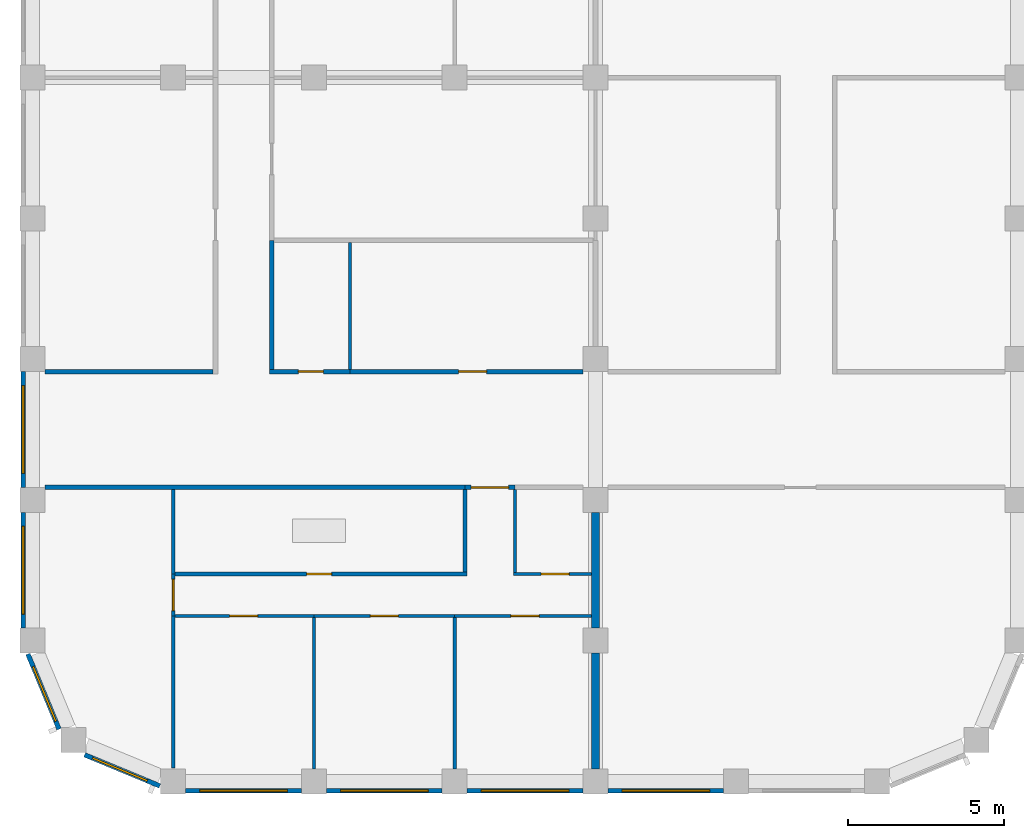
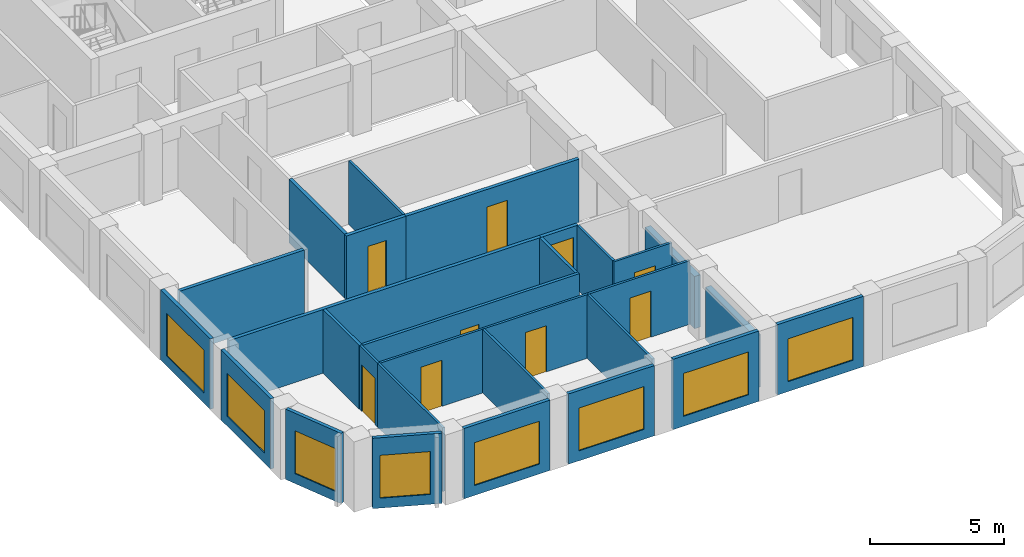
# One storey, part 2 of 9: 29 walls, 9 doors, 8 windows, 17 openings.
"""IFC4 building model written with IfcOpenShell, lengths in metres."""

from ifc_helpers import new_model, si_unit, direction, frame, frame_2d, origin, place, context, subcontext, project, spatial, rectangle, extrude, material, layer, layer_set, type_object, element, fill, save


model = new_model("IFC4")

# Units and contexts
model_context = context("Model", 3, precision=1e-05, world=origin(), true_north=direction((0.0, 1.0)))
body_context = subcontext(model_context, "Body", "Model", "MODEL_VIEW")
ifc_project = project(units=[si_unit("LENGTHUNIT", "METRE"), si_unit("AREAUNIT", "SQUARE_METRE"), si_unit("VOLUMEUNIT", "CUBIC_METRE"), si_unit("PLANEANGLEUNIT", "RADIAN"), si_unit("MASSUNIT", "GRAM", prefix="KILO")], contexts=[model_context])

# Site, building, storey
site_placement = place(None, origin())
site = spatial("IfcSite", under=ifc_project, at=site_placement, CompositionType="ELEMENT")
building_placement = place(site_placement, origin())
building = spatial("IfcBuilding", under=site, at=building_placement, Name="Girih Gate Residences", CompositionType="ELEMENT")
storey_placement = place(building_placement, frame((0.0, 0.0, 182.699951171875)))
storey = spatial("IfcBuildingStorey", under=building, at=storey_placement, Name="L50", CompositionType="ELEMENT", Elevation=182.699951171875)

# Walls
ifc_material_1 = material(Name="Gypsum board on steel studs", Category="steel")
ifc_layer_1 = layer(ifc_material_1, 0.25)
ifc_layer_set_1 = layer_set([ifc_layer_1], Name="Acoustic separating wall 250 mm")
wall_type_1 = type_object("IfcWallType", Name="Acoustic separating wall 250 mm", PredefinedType="PARTITIONING", material=ifc_layer_set_1)
for number, where, z_axis, x_axis, name in (
    (1, (18.0, 4.89990234375, 0.0), (0.0, 0.0, 1.0), (0.0, 1.0, 0.0), "L50 partition"),
    (2, (18.0, 0.39990234375, 0.0), (0.0, 0.0, 1.0), (0.0, 1.0, 0.0), "L50 partition"),
):
    element("IfcWall", number, at=place(storey_placement, frame(where, z_axis=z_axis, x_axis=x_axis)), inside=storey, type_object=wall_type_1, Name=name, PredefinedType="PARTITIONING", context=body_context, shape_type="SweptSolid", body=[
        extrude(rectangle(XDim=3.7001953125, YDim=0.25, at=frame_2d((1.85009765625, 0.0))), origin(), (0.0, 0.0, 1.0), 2.380126953125),
    ])

# Wall, opening, door
ifc_layer_2 = layer(ifc_material_1, 0.14990234375)
ifc_layer_set_2 = layer_set([ifc_layer_2], Name="Compartment wall 150 mm")
wall_type_2 = type_object("IfcWallType", Name="Compartment wall 150 mm", PredefinedType="PARTITIONING", material=ifc_layer_set_2)
wall_1_placement = place(storey_placement, frame((15.425048828125, 9.39990234375, 0.0), z_axis=(0.0, 0.0, 1.0), x_axis=(-1.0, 0.0, 0.0)))
wall_1 = element("IfcWall", 3, at=wall_1_placement, inside=storey, type_object=wall_type_2, Name="L50 partition", PredefinedType="PARTITIONING", context=body_context, shape_type="SweptSolid", body=[
    extrude(rectangle(XDim=1.60009765625, YDim=0.14990234375, at=frame_2d((0.800048828125, 0.0))), origin(), (0.0, 0.0, 1.0), 2.900146484375),
])
opening_1_placement = place(wall_1_placement, frame((0.199951171875, 0.0, 0.0)))
opening_1 = element("IfcOpeningElement", 4, at=opening_1_placement, cuts=wall_1, Name="Opening A50-007", PredefinedType="OPENING", context=body_context, shape_type="SweptSolid", body=[
    extrude(rectangle(XDim=1.199951171875, YDim=2.39990234375, at=frame_2d((0.60009765625, 1.199951171875))), frame((0.0, 0.0849609375, 0.0), z_axis=(0.0, -1.0, 0.0), x_axis=(1.0, 0.0, 0.0)), (0.0, 0.0, 1.0), 0.169921875),
])
ifc_material_2 = material(Name="Timber, fire-rated core", Category="wood")
door_type_1 = type_object("IfcDoorType", Name="Villa entrance door 1200x2400 FD30S", OperationType="NOTDEFINED", PredefinedType="DOOR", material=ifc_material_2)
door_1_placement = place(opening_1_placement, origin())
door_1 = element("IfcDoor", 5, at=door_1_placement, inside=storey, type_object=door_type_1, Name="Door A50-007", OperationType="SINGLE_SWING_LEFT", OverallHeight=2.39990234375, OverallWidth=1.199951171875, PredefinedType="DOOR", context=body_context, shape_type="SweptSolid", body=[
    extrude(rectangle(XDim=1.199951171875, YDim=2.39990234375, at=frame_2d((0.60009765625, 1.199951171875))), frame((0.0, 0.02490234375, 0.0), z_axis=(0.0, -1.0, 0.0), x_axis=(1.0, 0.0, 0.0)), (0.0, 0.0, 1.0), 0.050048828125),
])
fill(opening_1, door_1)

# Wall
wall_2_placement = place(storey_placement, frame((0.39990234375, 9.39990234375, 0.0), z_axis=(0.0, 0.0, 1.0), x_axis=(1.0, 0.0, 0.0)))
element("IfcWall", 6, at=wall_2_placement, inside=storey, type_object=wall_type_2, Name="L50 partition", PredefinedType="PARTITIONING", context=body_context, shape_type="SweptSolid", body=[
    extrude(rectangle(XDim=13.425048828125, YDim=0.14990234375, at=frame_2d((6.71240234375, 0.0))), origin(), (0.0, 0.0, 1.0), 2.900146484375),
])

# Wall, opening, door
wall_3_placement = place(storey_placement, frame((10.14990234375, 13.10009765625, 0.0), z_axis=(0.0, 0.0, 1.0), x_axis=(1.0, 0.0, 0.0)))
wall_3 = element("IfcWall", 7, at=wall_3_placement, inside=storey, type_object=wall_type_2, Name="L50 partition", PredefinedType="PARTITIONING", context=body_context, shape_type="SweptSolid", body=[
    extrude(rectangle(XDim=7.4501953125, YDim=0.14990234375, at=frame_2d((3.72509765625, 0.0))), origin(), (0.0, 0.0, 1.0), 2.900146484375),
])
opening_2_placement = place(wall_3_placement, frame((3.47509765625, 0.0, 0.0)))
opening_2 = element("IfcOpeningElement", 8, at=opening_2_placement, cuts=wall_3, Name="Opening A50-026", PredefinedType="OPENING", context=body_context, shape_type="SweptSolid", body=[
    extrude(rectangle(XDim=0.89990234375, YDim=2.10009765625, at=frame_2d((0.449951171875, 1.050048828125))), frame((0.0, 0.0849609375, 0.0), z_axis=(0.0, -1.0, 0.0), x_axis=(1.0, 0.0, 0.0)), (0.0, 0.0, 1.0), 0.169921875),
])
ifc_material_3 = material(Name="Timber", Category="wood")
door_type_2 = type_object("IfcDoorType", Name="Service room door 900x2100", OperationType="NOTDEFINED", PredefinedType="DOOR", material=ifc_material_3)
door_2_placement = place(opening_2_placement, origin())
door_2 = element("IfcDoor", 9, at=door_2_placement, inside=storey, type_object=door_type_2, Name="Door A50-026", OperationType="SINGLE_SWING_RIGHT", OverallHeight=2.10009765625, OverallWidth=0.89990234375, PredefinedType="DOOR", context=body_context, shape_type="SweptSolid", body=[
    extrude(rectangle(XDim=0.89990234375, YDim=2.10009765625, at=frame_2d((0.449951171875, 1.050048828125))), frame((0.0, 0.02490234375, 0.0), z_axis=(0.0, -1.0, 0.0), x_axis=(1.0, 0.0, 0.0)), (0.0, 0.0, 1.0), 0.050048828125),
])
fill(opening_2, door_2)

wall_4_placement = place(storey_placement, frame((7.574951171875, 13.10009765625, 0.0), z_axis=(0.0, 0.0, 1.0), x_axis=(1.0, 0.0, 0.0)))
wall_4 = element("IfcWall", 10, at=wall_4_placement, inside=storey, type_object=wall_type_2, Name="L50 partition", PredefinedType="PARTITIONING", context=body_context, shape_type="SweptSolid", body=[
    extrude(rectangle(XDim=2.574951171875, YDim=0.14990234375, at=frame_2d((1.28759765625, 0.0))), origin(), (0.0, 0.0, 1.0), 2.900146484375),
])
opening_3_placement = place(wall_4_placement, frame((0.925048828125, 0.0, 0.0)))
opening_3 = element("IfcOpeningElement", 11, at=opening_3_placement, cuts=wall_4, Name="Opening A50-027", PredefinedType="OPENING", context=body_context, shape_type="SweptSolid", body=[
    extrude(rectangle(XDim=0.800048828125, YDim=2.10009765625, at=frame_2d((0.39990234375, 1.050048828125))), frame((0.0, 0.0849609375, 0.0), z_axis=(0.0, -1.0, 0.0), x_axis=(1.0, 0.0, 0.0)), (0.0, 0.0, 1.0), 0.169921875),
])
door_type_3 = type_object("IfcDoorType", Name="Bathroom door 800x2100", OperationType="NOTDEFINED", PredefinedType="DOOR", material=ifc_material_3)
door_3_placement = place(opening_3_placement, origin())
door_3 = element("IfcDoor", 12, at=door_3_placement, inside=storey, type_object=door_type_3, Name="Door A50-027", OperationType="SINGLE_SWING_RIGHT", OverallHeight=2.10009765625, OverallWidth=0.800048828125, PredefinedType="DOOR", context=body_context, shape_type="SweptSolid", body=[
    extrude(rectangle(XDim=0.800048828125, YDim=2.10009765625, at=frame_2d((0.39990234375, 1.050048828125))), frame((0.0, 0.02490234375, 0.0), z_axis=(0.0, -1.0, 0.0), x_axis=(1.0, 0.0, 0.0)), (0.0, 0.0, 1.0), 0.050048828125),
])
fill(opening_3, door_3)

# Walls
wall_5_placement = place(storey_placement, frame((0.39990234375, 13.10009765625, 0.0), z_axis=(0.0, 0.0, 1.0), x_axis=(1.0, 0.0, 0.0)))
element("IfcWall", 13, at=wall_5_placement, inside=storey, type_object=wall_type_2, Name="L50 partition", PredefinedType="PARTITIONING", context=body_context, shape_type="SweptSolid", body=[
    extrude(rectangle(XDim=5.375, YDim=0.14990234375, at=frame_2d((2.6875, 0.0))), origin(), (0.0, 0.0, 1.0), 2.900146484375),
])
wall_6_placement = place(storey_placement, frame((7.64990234375, 13.175048828125, 0.0), z_axis=(0.0, 0.0, 1.0), x_axis=(0.0, 1.0, 0.0)))
element("IfcWall", 14, at=wall_6_placement, inside=storey, type_object=wall_type_2, Name="L50 partition", PredefinedType="PARTITIONING", context=body_context, shape_type="SweptSolid", body=[
    extrude(rectangle(XDim=4.125, YDim=0.14990234375, at=frame_2d((2.0625, 0.0))), origin(), (0.0, 0.0, 1.0), 2.900146484375),
])
ifc_layer_3 = layer(ifc_material_1, 0.10009765625)
ifc_layer_set_3 = layer_set([ifc_layer_3], Name="Partition 100 mm")
wall_type_3 = type_object("IfcWallType", Name="Partition 100 mm", PredefinedType="PARTITIONING", material=ifc_layer_set_3)
wall_7_placement = place(storey_placement, frame((9.0, 0.39990234375, 0.0), z_axis=(0.0, 0.0, 1.0), x_axis=(0.0, 1.0, 0.0)))
element("IfcWall", 15, at=wall_7_placement, inside=storey, type_object=wall_type_3, Name="L50 partition", PredefinedType="PARTITIONING", context=body_context, shape_type="SweptSolid", body=[
    extrude(rectangle(XDim=4.840087890625, YDim=0.10009765625, at=frame_2d((2.419921875, 0.0))), origin(), (0.0, 0.0, 1.0), 2.900146484375),
])

# Wall, opening, door
wall_8_placement = place(storey_placement, frame((9.0, 5.2900390625, 0.0), z_axis=(0.0, 0.0, 1.0), x_axis=(-1.0, 0.0, 0.0)))
wall_8 = element("IfcWall", 16, at=wall_8_placement, inside=storey, type_object=wall_type_3, Name="L50 partition", PredefinedType="PARTITIONING", context=body_context, shape_type="SweptSolid", body=[
    extrude(rectangle(XDim=4.449951171875, YDim=0.10009765625, at=frame_2d((2.22509765625, 0.0))), origin(), (0.0, 0.0, 1.0), 2.900146484375),
])
opening_4_placement = place(wall_8_placement, frame((1.800048828125, 0.0, 0.0)))
opening_4 = element("IfcOpeningElement", 17, at=opening_4_placement, cuts=wall_8, Name="Opening A50-002", PredefinedType="OPENING", context=body_context, shape_type="SweptSolid", body=[
    extrude(rectangle(XDim=0.89990234375, YDim=2.10009765625, at=frame_2d((0.449951171875, 1.050048828125))), frame((0.0, 0.06005859375, 0.0), z_axis=(0.0, -1.0, 0.0), x_axis=(1.0, 0.0, 0.0)), (0.0, 0.0, 1.0), 0.1201171875),
])
door_type_4 = type_object("IfcDoorType", Name="Bedroom door 900x2100", OperationType="NOTDEFINED", PredefinedType="DOOR", material=ifc_material_3)
door_4_placement = place(opening_4_placement, origin())
door_4 = element("IfcDoor", 18, at=door_4_placement, inside=storey, type_object=door_type_4, Name="Door A50-002", OperationType="SINGLE_SWING_RIGHT", OverallHeight=2.10009765625, OverallWidth=0.89990234375, PredefinedType="DOOR", context=body_context, shape_type="SweptSolid", body=[
    extrude(rectangle(XDim=0.89990234375, YDim=2.10009765625, at=frame_2d((0.449951171875, 1.050048828125))), frame((0.0, 0.02490234375, 0.0), z_axis=(0.0, -1.0, 0.0), x_axis=(1.0, 0.0, 0.0)), (0.0, 0.0, 1.0), 0.050048828125),
])
fill(opening_4, door_4)

# Walls
wall_9_placement = place(storey_placement, frame((4.5, 0.432861328125, 0.0), z_axis=(0.0, 0.0, 1.0), x_axis=(0.0, 1.0, 0.0)))
element("IfcWall", 19, at=wall_9_placement, inside=storey, type_object=wall_type_3, Name="L50 partition", PredefinedType="PARTITIONING", context=body_context, shape_type="SweptSolid", body=[
    extrude(rectangle(XDim=4.857177734375, YDim=0.10009765625, at=frame_2d((2.4287109375, 0.0))), origin(), (0.0, 0.0, 1.0), 2.900146484375),
])
wall_10_placement = place(storey_placement, frame((13.5, 0.39990234375, 0.0), z_axis=(0.0, 0.0, 1.0), x_axis=(0.0, 1.0, 0.0)))
element("IfcWall", 20, at=wall_10_placement, inside=storey, type_object=wall_type_3, Name="L50 partition", PredefinedType="PARTITIONING", context=body_context, shape_type="SweptSolid", body=[
    extrude(rectangle(XDim=4.840087890625, YDim=0.10009765625, at=frame_2d((2.419921875, 0.0))), origin(), (0.0, 0.0, 1.0), 2.900146484375),
])

# Wall, opening, door
wall_11_placement = place(storey_placement, frame((13.5, 5.2900390625, 0.0), z_axis=(0.0, 0.0, 1.0), x_axis=(-1.0, 0.0, 0.0)))
wall_11 = element("IfcWall", 21, at=wall_11_placement, inside=storey, type_object=wall_type_3, Name="L50 partition", PredefinedType="PARTITIONING", context=body_context, shape_type="SweptSolid", body=[
    extrude(rectangle(XDim=4.5, YDim=0.10009765625, at=frame_2d((2.25, 0.0))), origin(), (0.0, 0.0, 1.0), 2.900146484375),
])
opening_5_placement = place(wall_11_placement, frame((1.800048828125, 0.0, 0.0)))
opening_5 = element("IfcOpeningElement", 22, at=opening_5_placement, cuts=wall_11, Name="Opening A50-003", PredefinedType="OPENING", context=body_context, shape_type="SweptSolid", body=[
    extrude(rectangle(XDim=0.89990234375, YDim=2.10009765625, at=frame_2d((0.449951171875, 1.050048828125))), frame((0.0, 0.06005859375, 0.0), z_axis=(0.0, -1.0, 0.0), x_axis=(1.0, 0.0, 0.0)), (0.0, 0.0, 1.0), 0.1201171875),
])
door_5_placement = place(opening_5_placement, origin())
door_5 = element("IfcDoor", 23, at=door_5_placement, inside=storey, type_object=door_type_4, Name="Door A50-003", OperationType="SINGLE_SWING_LEFT", OverallHeight=2.10009765625, OverallWidth=0.89990234375, PredefinedType="DOOR", context=body_context, shape_type="SweptSolid", body=[
    extrude(rectangle(XDim=0.89990234375, YDim=2.10009765625, at=frame_2d((0.449951171875, 1.050048828125))), frame((0.0, 0.02490234375, 0.0), z_axis=(0.0, -1.0, 0.0), x_axis=(1.0, 0.0, 0.0)), (0.0, 0.0, 1.0), 0.050048828125),
])
fill(opening_5, door_5)

wall_12_placement = place(storey_placement, frame((17.875, 5.2900390625, 0.0), z_axis=(0.0, 0.0, 1.0), x_axis=(-1.0, 0.0, 0.0)))
wall_12 = element("IfcWall", 24, at=wall_12_placement, inside=storey, type_object=wall_type_3, Name="L50 partition", PredefinedType="PARTITIONING", context=body_context, shape_type="SweptSolid", body=[
    extrude(rectangle(XDim=4.375, YDim=0.10009765625, at=frame_2d((2.1875, 0.0))), origin(), (0.0, 0.0, 1.0), 2.900146484375),
])
opening_6_placement = place(wall_12_placement, frame((1.675048828125, 0.0, 0.0)))
opening_6 = element("IfcOpeningElement", 25, at=opening_6_placement, cuts=wall_12, Name="Opening A50-004", PredefinedType="OPENING", context=body_context, shape_type="SweptSolid", body=[
    extrude(rectangle(XDim=0.89990234375, YDim=2.10009765625, at=frame_2d((0.449951171875, 1.050048828125))), frame((0.0, 0.06005859375, 0.0), z_axis=(0.0, -1.0, 0.0), x_axis=(1.0, 0.0, 0.0)), (0.0, 0.0, 1.0), 0.1201171875),
])
door_6_placement = place(opening_6_placement, origin())
door_6 = element("IfcDoor", 26, at=door_6_placement, inside=storey, type_object=door_type_4, Name="Door A50-004", OperationType="SINGLE_SWING_LEFT", OverallHeight=2.10009765625, OverallWidth=0.89990234375, PredefinedType="DOOR", context=body_context, shape_type="SweptSolid", body=[
    extrude(rectangle(XDim=0.89990234375, YDim=2.10009765625, at=frame_2d((0.449951171875, 1.050048828125))), frame((0.0, 0.02490234375, 0.0), z_axis=(0.0, -1.0, 0.0), x_axis=(1.0, 0.0, 0.0)), (0.0, 0.0, 1.0), 0.050048828125),
])
fill(opening_6, door_6)

# Wall
wall_13_placement = place(storey_placement, frame((15.425048828125, 6.679931640625, 0.0), z_axis=(0.0, 0.0, 1.0), x_axis=(0.0, 1.0, 0.0)))
element("IfcWall", 27, at=wall_13_placement, inside=storey, type_object=wall_type_3, Name="L50 partition", PredefinedType="PARTITIONING", context=body_context, shape_type="SweptSolid", body=[
    extrude(rectangle(XDim=2.64501953125, YDim=0.10009765625, at=frame_2d((1.322509765625, 0.0))), origin(), (0.0, 0.0, 1.0), 2.900146484375),
])

# Wall, opening, door
wall_14_placement = place(storey_placement, frame((15.375, 6.6298828125, 0.0), z_axis=(0.0, 0.0, 1.0), x_axis=(1.0, 0.0, 0.0)))
wall_14 = element("IfcWall", 28, at=wall_14_placement, inside=storey, type_object=wall_type_3, Name="L50 partition", PredefinedType="PARTITIONING", context=body_context, shape_type="SweptSolid", body=[
    extrude(rectangle(XDim=2.5, YDim=0.10009765625, at=frame_2d((1.25, 0.0))), origin(), (0.0, 0.0, 1.0), 2.900146484375),
])
opening_7_placement = place(wall_14_placement, frame((0.887451171875, 0.0, 0.0)))
opening_7 = element("IfcOpeningElement", 29, at=opening_7_placement, cuts=wall_14, Name="Opening A50-005", PredefinedType="OPENING", context=body_context, shape_type="SweptSolid", body=[
    extrude(rectangle(XDim=0.89990234375, YDim=2.10009765625, at=frame_2d((0.449951171875, 1.050048828125))), frame((0.0, 0.06005859375, 0.0), z_axis=(0.0, -1.0, 0.0), x_axis=(1.0, 0.0, 0.0)), (0.0, 0.0, 1.0), 0.1201171875),
])
door_type_5 = type_object("IfcDoorType", Name="Kitchen door 900x2100", OperationType="NOTDEFINED", PredefinedType="DOOR", material=ifc_material_3)
door_7_placement = place(opening_7_placement, origin())
door_7 = element("IfcDoor", 30, at=door_7_placement, inside=storey, type_object=door_type_5, Name="Door A50-005", OperationType="SINGLE_SWING_RIGHT", OverallHeight=2.10009765625, OverallWidth=0.89990234375, PredefinedType="DOOR", context=body_context, shape_type="SweptSolid", body=[
    extrude(rectangle(XDim=0.89990234375, YDim=2.10009765625, at=frame_2d((0.449951171875, 1.050048828125))), frame((0.0, 0.02490234375, 0.0), z_axis=(0.0, -1.0, 0.0), x_axis=(1.0, 0.0, 0.0)), (0.0, 0.0, 1.0), 0.050048828125),
])
fill(opening_7, door_7)

wall_15_placement = place(storey_placement, frame((4.5, 5.2900390625, 0.0), z_axis=(0.0, 0.0, 1.0), x_axis=(0.0, 1.0, 0.0)))
wall_15 = element("IfcWall", 31, at=wall_15_placement, inside=storey, type_object=wall_type_3, Name="L50 partition", PredefinedType="PARTITIONING", context=body_context, shape_type="SweptSolid", body=[
    extrude(rectangle(XDim=1.33984375, YDim=0.10009765625, at=frame_2d((0.669921875, 0.0))), origin(), (0.0, 0.0, 1.0), 2.900146484375),
])
opening_8_placement = place(wall_15_placement, frame((0.169921875, 0.0, 0.0)))
opening_8 = element("IfcOpeningElement", 32, at=opening_8_placement, cuts=wall_15, Name="Opening A50-006", PredefinedType="OPENING", context=body_context, shape_type="SweptSolid", body=[
    extrude(rectangle(XDim=1.0, YDim=2.10009765625, at=frame_2d((0.5, 1.050048828125))), frame((0.0, 0.06005859375, 0.0), z_axis=(0.0, -1.0, 0.0), x_axis=(1.0, 0.0, 0.0)), (0.0, 0.0, 1.0), 0.1201171875),
])
door_type_6 = type_object("IfcDoorType", Name="Living room door 1000x2100", OperationType="NOTDEFINED", PredefinedType="DOOR", material=ifc_material_3)
door_8_placement = place(opening_8_placement, origin())
door_8 = element("IfcDoor", 33, at=door_8_placement, inside=storey, type_object=door_type_6, Name="Door A50-006", OperationType="SINGLE_SWING_RIGHT", OverallHeight=2.10009765625, OverallWidth=1.0, PredefinedType="DOOR", context=body_context, shape_type="SweptSolid", body=[
    extrude(rectangle(XDim=1.0, YDim=2.10009765625, at=frame_2d((0.5, 1.050048828125))), frame((0.0, 0.02490234375, 0.0), z_axis=(0.0, -1.0, 0.0), x_axis=(1.0, 0.0, 0.0)), (0.0, 0.0, 1.0), 0.050048828125),
])
fill(opening_8, door_8)

# Wall
wall_16_placement = place(storey_placement, frame((10.14990234375, 13.175048828125, 0.0), z_axis=(0.0, 0.0, 1.0), x_axis=(0.0, 1.0, 0.0)))
element("IfcWall", 34, at=wall_16_placement, inside=storey, type_object=wall_type_3, Name="L50 partition", PredefinedType="PARTITIONING", context=body_context, shape_type="SweptSolid", body=[
    extrude(rectangle(XDim=4.050048828125, YDim=0.10009765625, at=frame_2d((2.02490234375, 0.0))), origin(), (0.0, 0.0, 1.0), 2.900146484375),
])

# Wall, opening, window
ifc_material_4 = material(Name="Precast concrete C50/60", Category="concrete")
ifc_layer_4 = layer(ifc_material_4, 0.050048828125, Name="Outer leaf")
ifc_material_5 = material(Name="Rigid PIR insulation")
ifc_layer_5 = layer(ifc_material_5, 0.06005859375, Name="Insulation")
ifc_material_6 = material(Name="Precast concrete C40/50", Category="concrete")
ifc_layer_6 = layer(ifc_material_6, 0.0400390625, Name="Inner leaf")
ifc_layer_set_4 = layer_set([ifc_layer_4, ifc_layer_5, ifc_layer_6], Name="Precast concrete C50/60 external wall 150")
wall_type_4 = type_object("IfcWallType", Name="Precast concrete C50/60 external wall 150", PredefinedType="SOLIDWALL", material=ifc_layer_set_4)
wall_17_placement = place(storey_placement, frame((-0.300048828125, 9.39990234375, 0.0), z_axis=(0.0, 0.0, 1.0), x_axis=(0.0, 1.0, 0.0)))
wall_17 = element("IfcWall", 35, at=wall_17_placement, inside=storey, type_object=wall_type_4, Name="External wall W0000_0450.7", PredefinedType="SOLIDWALL", context=body_context, shape_type="SweptSolid", body=[
    extrude(rectangle(XDim=3.7001953125, YDim=0.14990234375, at=frame_2d((1.85009765625, 0.0))), origin(), (0.0, 0.0, 1.0), 3.199951171875),
])
opening_9_placement = place(wall_17_placement, frame((0.449951171875, 0.0, 0.449951171875)))
opening_9 = element("IfcOpeningElement", 36, at=opening_9_placement, cuts=wall_17, Name="Opening W-1B", PredefinedType="OPENING", context=body_context, shape_type="SweptSolid", body=[
    extrude(rectangle(XDim=2.800048828125, YDim=1.949951171875, at=frame_2d((1.39990234375, 0.97509765625))), frame((0.0, 0.0849609375, 0.0), z_axis=(0.0, -1.0, 0.0), x_axis=(1.0, 0.0, 0.0)), (0.0, 0.0, 1.0), 0.169921875),
])
ifc_material_7 = material(Name="Double glazing in aluminium frame", Category="aluminium")
window_type_1 = type_object("IfcWindowType", Name="Window W-1B 2800x1950", PartitioningType="SINGLE_PANEL", PredefinedType="WINDOW", material=ifc_material_7)
window_1_placement = place(opening_9_placement, origin())
window_1 = element("IfcWindow", 37, at=window_1_placement, inside=storey, type_object=window_type_1, Name="Window W-1B W0000_0450.7", OverallHeight=1.949951171875, OverallWidth=2.800048828125, PartitioningType="SINGLE_PANEL", PredefinedType="WINDOW", context=body_context, shape_type="SweptSolid", body=[
    extrude(rectangle(XDim=2.800048828125, YDim=1.949951171875, at=frame_2d((1.39990234375, 0.97509765625))), frame((0.0, 0.030029296875, 0.0), z_axis=(0.0, -1.0, 0.0), x_axis=(1.0, 0.0, 0.0)), (0.0, 0.0, 1.0), 0.06005859375),
])
fill(opening_9, window_1)

wall_18_placement = place(storey_placement, frame((-0.300048828125, 4.89990234375, 0.0), z_axis=(0.0, 0.0, 1.0), x_axis=(0.0, 1.0, 0.0)))
wall_18 = element("IfcWall", 38, at=wall_18_placement, inside=storey, type_object=wall_type_4, Name="External wall W0000_0450.8", PredefinedType="SOLIDWALL", context=body_context, shape_type="SweptSolid", body=[
    extrude(rectangle(XDim=3.7001953125, YDim=0.14990234375, at=frame_2d((1.85009765625, 0.0))), origin(), (0.0, 0.0, 1.0), 3.199951171875),
])
opening_10_placement = place(wall_18_placement, frame((0.449951171875, 0.0, 0.449951171875)))
opening_10 = element("IfcOpeningElement", 39, at=opening_10_placement, cuts=wall_18, Name="Opening W-1B", PredefinedType="OPENING", context=body_context, shape_type="SweptSolid", body=[
    extrude(rectangle(XDim=2.800048828125, YDim=1.949951171875, at=frame_2d((1.39990234375, 0.97509765625))), frame((0.0, 0.0849609375, 0.0), z_axis=(0.0, -1.0, 0.0), x_axis=(1.0, 0.0, 0.0)), (0.0, 0.0, 1.0), 0.169921875),
])
window_2_placement = place(opening_10_placement, origin())
window_2 = element("IfcWindow", 40, at=window_2_placement, inside=storey, type_object=window_type_1, Name="Window W-1B W0000_0450.8", OverallHeight=1.949951171875, OverallWidth=2.800048828125, PartitioningType="SINGLE_PANEL", PredefinedType="WINDOW", context=body_context, shape_type="SweptSolid", body=[
    extrude(rectangle(XDim=2.800048828125, YDim=1.949951171875, at=frame_2d((1.39990234375, 0.97509765625))), frame((0.0, 0.030029296875, 0.0), z_axis=(0.0, -1.0, 0.0), x_axis=(1.0, 0.0, 0.0)), (0.0, 0.0, 1.0), 0.06005859375),
])
fill(opening_10, window_2)

wall_19_placement = place(storey_placement, frame((0.8486328125, 1.6669921875, 0.0), z_axis=(0.0, 0.0, 1.0), x_axis=(-0.382669406082, 0.923885342263, 0.0)))
wall_19 = element("IfcWall", 41, at=wall_19_placement, inside=storey, type_object=wall_type_4, Name="External wall SW0000_0045.0", PredefinedType="SOLIDWALL", context=body_context, shape_type="SweptSolid", body=[
    extrude(rectangle(XDim=2.602294921875, YDim=0.14990234375, at=frame_2d((1.30126953125, 0.0))), origin(), (0.0, 0.0, 1.0), 3.199951171875),
])
opening_11_placement = place(wall_19_placement, frame((0.27001953125, 0.0, 0.449951171875)))
opening_11 = element("IfcOpeningElement", 42, at=opening_11_placement, cuts=wall_19, Name="Opening W-2G", PredefinedType="OPENING", context=body_context, shape_type="SweptSolid", body=[
    extrude(rectangle(XDim=1.89990234375, YDim=1.949951171875, at=frame_2d((0.949951171875, 0.97509765625))), frame((0.0, 0.0849609375, 0.0), z_axis=(0.0, -1.0, 0.0), x_axis=(1.0, 0.0, 0.0)), (0.0, 0.0, 1.0), 0.169921875),
])
window_type_2 = type_object("IfcWindowType", Name="Window W-2G 1900x1950", PartitioningType="SINGLE_PANEL", PredefinedType="WINDOW", material=ifc_material_7)
window_3_placement = place(opening_11_placement, origin())
window_3 = element("IfcWindow", 43, at=window_3_placement, inside=storey, type_object=window_type_2, Name="Window W-2G SW0000_0045.0", OverallHeight=1.949951171875, OverallWidth=1.89990234375, PartitioningType="SINGLE_PANEL", PredefinedType="WINDOW", context=body_context, shape_type="SweptSolid", body=[
    extrude(rectangle(XDim=1.89990234375, YDim=1.949951171875, at=frame_2d((0.949951171875, 0.97509765625))), frame((0.0, 0.030029296875, 0.0), z_axis=(0.0, -1.0, 0.0), x_axis=(1.0, 0.0, 0.0)), (0.0, 0.0, 1.0), 0.06005859375),
])
fill(opening_11, window_3)

wall_20_placement = place(storey_placement, frame((4.0712890625, -0.147216796875, 0.0), z_axis=(0.0, 0.0, 1.0), x_axis=(-0.923885342263, 0.382669406082, 0.0)))
wall_20 = element("IfcWall", 44, at=wall_20_placement, inside=storey, type_object=wall_type_4, Name="External wall SW0013_0013.0", PredefinedType="SOLIDWALL", context=body_context, shape_type="SweptSolid", body=[
    extrude(rectangle(XDim=2.602294921875, YDim=0.14990234375, at=frame_2d((1.30126953125, 0.0))), origin(), (0.0, 0.0, 1.0), 3.199951171875),
])
opening_12_placement = place(wall_20_placement, frame((0.432373046875, 0.0, 0.449951171875)))
opening_12 = element("IfcOpeningElement", 45, at=opening_12_placement, cuts=wall_20, Name="Opening W-2G", PredefinedType="OPENING", context=body_context, shape_type="SweptSolid", body=[
    extrude(rectangle(XDim=1.89990234375, YDim=1.949951171875, at=frame_2d((0.949951171875, 0.97509765625))), frame((0.0, 0.0849609375, 0.0), z_axis=(0.0, -1.0, 0.0), x_axis=(1.0, 0.0, 0.0)), (0.0, 0.0, 1.0), 0.169921875),
])
window_4_placement = place(opening_12_placement, origin())
window_4 = element("IfcWindow", 46, at=window_4_placement, inside=storey, type_object=window_type_2, Name="Window W-2G SW0013_0013.0", OverallHeight=1.949951171875, OverallWidth=1.89990234375, PartitioningType="SINGLE_PANEL", PredefinedType="WINDOW", context=body_context, shape_type="SweptSolid", body=[
    extrude(rectangle(XDim=1.89990234375, YDim=1.949951171875, at=frame_2d((0.949951171875, 0.97509765625))), frame((0.0, 0.030029296875, 0.0), z_axis=(0.0, -1.0, 0.0), x_axis=(1.0, 0.0, 0.0)), (0.0, 0.0, 1.0), 0.06005859375),
])
fill(opening_12, window_4)

wall_21_placement = place(storey_placement, frame((8.60009765625, -0.300048828125, 0.0), z_axis=(0.0, 0.0, 1.0), x_axis=(-1.0, 0.0, 0.0)))
wall_21 = element("IfcWall", 47, at=wall_21_placement, inside=storey, type_object=wall_type_4, Name="External wall S0045_0000.0", PredefinedType="SOLIDWALL", context=body_context, shape_type="SweptSolid", body=[
    extrude(rectangle(XDim=3.7001953125, YDim=0.14990234375, at=frame_2d((1.85009765625, 0.0))), origin(), (0.0, 0.0, 1.0), 3.199951171875),
])
opening_13_placement = place(wall_21_placement, frame((0.449951171875, 0.0, 0.449951171875)))
opening_13 = element("IfcOpeningElement", 48, at=opening_13_placement, cuts=wall_21, Name="Opening W-1B", PredefinedType="OPENING", context=body_context, shape_type="SweptSolid", body=[
    extrude(rectangle(XDim=2.800048828125, YDim=1.949951171875, at=frame_2d((1.39990234375, 0.97509765625))), frame((0.0, 0.0849609375, 0.0), z_axis=(0.0, -1.0, 0.0), x_axis=(1.0, 0.0, 0.0)), (0.0, 0.0, 1.0), 0.169921875),
])
window_5_placement = place(opening_13_placement, origin())
window_5 = element("IfcWindow", 49, at=window_5_placement, inside=storey, type_object=window_type_1, Name="Window W-1B S0045_0000.0", OverallHeight=1.949951171875, OverallWidth=2.800048828125, PartitioningType="SINGLE_PANEL", PredefinedType="WINDOW", context=body_context, shape_type="SweptSolid", body=[
    extrude(rectangle(XDim=2.800048828125, YDim=1.949951171875, at=frame_2d((1.39990234375, 0.97509765625))), frame((0.0, 0.030029296875, 0.0), z_axis=(0.0, -1.0, 0.0), x_axis=(1.0, 0.0, 0.0)), (0.0, 0.0, 1.0), 0.06005859375),
])
fill(opening_13, window_5)

wall_22_placement = place(storey_placement, frame((13.10009765625, -0.300048828125, 0.0), z_axis=(0.0, 0.0, 1.0), x_axis=(-1.0, 0.0, 0.0)))
wall_22 = element("IfcWall", 50, at=wall_22_placement, inside=storey, type_object=wall_type_4, Name="External wall S0045_0000.1", PredefinedType="SOLIDWALL", context=body_context, shape_type="SweptSolid", body=[
    extrude(rectangle(XDim=3.7001953125, YDim=0.14990234375, at=frame_2d((1.85009765625, 0.0))), origin(), (0.0, 0.0, 1.0), 3.199951171875),
])
opening_14_placement = place(wall_22_placement, frame((0.449951171875, 0.0, 0.449951171875)))
opening_14 = element("IfcOpeningElement", 51, at=opening_14_placement, cuts=wall_22, Name="Opening W-1B", PredefinedType="OPENING", context=body_context, shape_type="SweptSolid", body=[
    extrude(rectangle(XDim=2.800048828125, YDim=1.949951171875, at=frame_2d((1.39990234375, 0.97509765625))), frame((0.0, 0.0849609375, 0.0), z_axis=(0.0, -1.0, 0.0), x_axis=(1.0, 0.0, 0.0)), (0.0, 0.0, 1.0), 0.169921875),
])
window_6_placement = place(opening_14_placement, origin())
window_6 = element("IfcWindow", 52, at=window_6_placement, inside=storey, type_object=window_type_1, Name="Window W-1B S0045_0000.1", OverallHeight=1.949951171875, OverallWidth=2.800048828125, PartitioningType="SINGLE_PANEL", PredefinedType="WINDOW", context=body_context, shape_type="SweptSolid", body=[
    extrude(rectangle(XDim=2.800048828125, YDim=1.949951171875, at=frame_2d((1.39990234375, 0.97509765625))), frame((0.0, 0.030029296875, 0.0), z_axis=(0.0, -1.0, 0.0), x_axis=(1.0, 0.0, 0.0)), (0.0, 0.0, 1.0), 0.06005859375),
])
fill(opening_14, window_6)

wall_23_placement = place(storey_placement, frame((17.60009765625, -0.300048828125, 0.0), z_axis=(0.0, 0.0, 1.0), x_axis=(-1.0, 0.0, 0.0)))
wall_23 = element("IfcWall", 53, at=wall_23_placement, inside=storey, type_object=wall_type_4, Name="External wall S0045_0000.2", PredefinedType="SOLIDWALL", context=body_context, shape_type="SweptSolid", body=[
    extrude(rectangle(XDim=3.7001953125, YDim=0.14990234375, at=frame_2d((1.85009765625, 0.0))), origin(), (0.0, 0.0, 1.0), 3.199951171875),
])
opening_15_placement = place(wall_23_placement, frame((0.449951171875, 0.0, 0.449951171875)))
opening_15 = element("IfcOpeningElement", 54, at=opening_15_placement, cuts=wall_23, Name="Opening W-1B", PredefinedType="OPENING", context=body_context, shape_type="SweptSolid", body=[
    extrude(rectangle(XDim=2.800048828125, YDim=1.949951171875, at=frame_2d((1.39990234375, 0.97509765625))), frame((0.0, 0.0849609375, 0.0), z_axis=(0.0, -1.0, 0.0), x_axis=(1.0, 0.0, 0.0)), (0.0, 0.0, 1.0), 0.169921875),
])
window_7_placement = place(opening_15_placement, origin())
window_7 = element("IfcWindow", 55, at=window_7_placement, inside=storey, type_object=window_type_1, Name="Window W-1B S0045_0000.2", OverallHeight=1.949951171875, OverallWidth=2.800048828125, PartitioningType="SINGLE_PANEL", PredefinedType="WINDOW", context=body_context, shape_type="SweptSolid", body=[
    extrude(rectangle(XDim=2.800048828125, YDim=1.949951171875, at=frame_2d((1.39990234375, 0.97509765625))), frame((0.0, 0.030029296875, 0.0), z_axis=(0.0, -1.0, 0.0), x_axis=(1.0, 0.0, 0.0)), (0.0, 0.0, 1.0), 0.06005859375),
])
fill(opening_15, window_7)

wall_24_placement = place(storey_placement, frame((22.10009765625, -0.300048828125, 0.0), z_axis=(0.0, 0.0, 1.0), x_axis=(-1.0, 0.0, 0.0)))
wall_24 = element("IfcWall", 56, at=wall_24_placement, inside=storey, type_object=wall_type_4, Name="External wall S0045_0000.3", PredefinedType="SOLIDWALL", context=body_context, shape_type="SweptSolid", body=[
    extrude(rectangle(XDim=3.7001953125, YDim=0.14990234375, at=frame_2d((1.85009765625, 0.0))), origin(), (0.0, 0.0, 1.0), 3.199951171875),
])
opening_16_placement = place(wall_24_placement, frame((0.449951171875, 0.0, 0.449951171875)))
opening_16 = element("IfcOpeningElement", 57, at=opening_16_placement, cuts=wall_24, Name="Opening W-1B", PredefinedType="OPENING", context=body_context, shape_type="SweptSolid", body=[
    extrude(rectangle(XDim=2.800048828125, YDim=1.949951171875, at=frame_2d((1.39990234375, 0.97509765625))), frame((0.0, 0.0849609375, 0.0), z_axis=(0.0, -1.0, 0.0), x_axis=(1.0, 0.0, 0.0)), (0.0, 0.0, 1.0), 0.169921875),
])
window_8_placement = place(opening_16_placement, origin())
window_8 = element("IfcWindow", 58, at=window_8_placement, inside=storey, type_object=window_type_1, Name="Window W-1B S0045_0000.3", OverallHeight=1.949951171875, OverallWidth=2.800048828125, PartitioningType="SINGLE_PANEL", PredefinedType="WINDOW", context=body_context, shape_type="SweptSolid", body=[
    extrude(rectangle(XDim=2.800048828125, YDim=1.949951171875, at=frame_2d((1.39990234375, 0.97509765625))), frame((0.0, 0.030029296875, 0.0), z_axis=(0.0, -1.0, 0.0), x_axis=(1.0, 0.0, 0.0)), (0.0, 0.0, 1.0), 0.06005859375),
])
fill(opening_16, window_8)

# Wall
ifc_layer_7 = layer(ifc_material_1, 0.125)
ifc_layer_set_5 = layer_set([ifc_layer_7], Name="Wet room wall 125 mm")
wall_type_5 = type_object("IfcWallType", Name="Wet room wall 125 mm", PredefinedType="PARTITIONING", material=ifc_layer_set_5)
wall_25_placement = place(storey_placement, frame((13.824951171875, 6.6923828125, 0.0), z_axis=(0.0, 0.0, 1.0), x_axis=(0.0, 1.0, 0.0)))
element("IfcWall", 59, at=wall_25_placement, inside=storey, type_object=wall_type_5, Name="L50 partition", PredefinedType="PARTITIONING", context=body_context, shape_type="SweptSolid", body=[
    extrude(rectangle(XDim=2.632568359375, YDim=0.125, at=frame_2d((1.31640625, 0.0))), origin(), (0.0, 0.0, 1.0), 2.900146484375),
])

# Wall, opening, door
wall_26_placement = place(storey_placement, frame((4.5625, 6.6298828125, 0.0), z_axis=(0.0, 0.0, 1.0), x_axis=(1.0, 0.0, 0.0)))
wall_26 = element("IfcWall", 60, at=wall_26_placement, inside=storey, type_object=wall_type_5, Name="L50 partition", PredefinedType="PARTITIONING", context=body_context, shape_type="SweptSolid", body=[
    extrude(rectangle(XDim=9.324951171875, YDim=0.125, at=frame_2d((4.66259765625, 0.0))), origin(), (0.0, 0.0, 1.0), 2.900146484375),
])
opening_17_placement = place(wall_26_placement, frame((4.199951171875, 0.0, 0.0)))
opening_17 = element("IfcOpeningElement", 61, at=opening_17_placement, cuts=wall_26, Name="Opening A50-001", PredefinedType="OPENING", context=body_context, shape_type="SweptSolid", body=[
    extrude(rectangle(XDim=0.800048828125, YDim=2.10009765625, at=frame_2d((0.39990234375, 1.050048828125))), frame((0.0, 0.072509765625, 0.0), z_axis=(0.0, -1.0, 0.0), x_axis=(1.0, 0.0, 0.0)), (0.0, 0.0, 1.0), 0.14501953125),
])
door_9_placement = place(opening_17_placement, origin())
door_9 = element("IfcDoor", 62, at=door_9_placement, inside=storey, type_object=door_type_3, Name="Door A50-001", OperationType="SINGLE_SWING_LEFT", OverallHeight=2.10009765625, OverallWidth=0.800048828125, PredefinedType="DOOR", context=body_context, shape_type="SweptSolid", body=[
    extrude(rectangle(XDim=0.800048828125, YDim=2.10009765625, at=frame_2d((0.39990234375, 1.050048828125))), frame((0.0, 0.02490234375, 0.0), z_axis=(0.0, -1.0, 0.0), x_axis=(1.0, 0.0, 0.0)), (0.0, 0.0, 1.0), 0.050048828125),
])
fill(opening_17, door_9)

# Wall
wall_27_placement = place(storey_placement, frame((4.5, 6.6298828125, 0.0), z_axis=(0.0, 0.0, 1.0), x_axis=(0.0, 1.0, 0.0)))
element("IfcWall", 63, at=wall_27_placement, inside=storey, type_object=wall_type_5, Name="L50 partition", PredefinedType="PARTITIONING", context=body_context, shape_type="SweptSolid", body=[
    extrude(rectangle(XDim=2.695068359375, YDim=0.125, at=frame_2d((1.34765625, 0.0))), origin(), (0.0, 0.0, 1.0), 2.900146484375),
])

save(model, "model.ifc")
